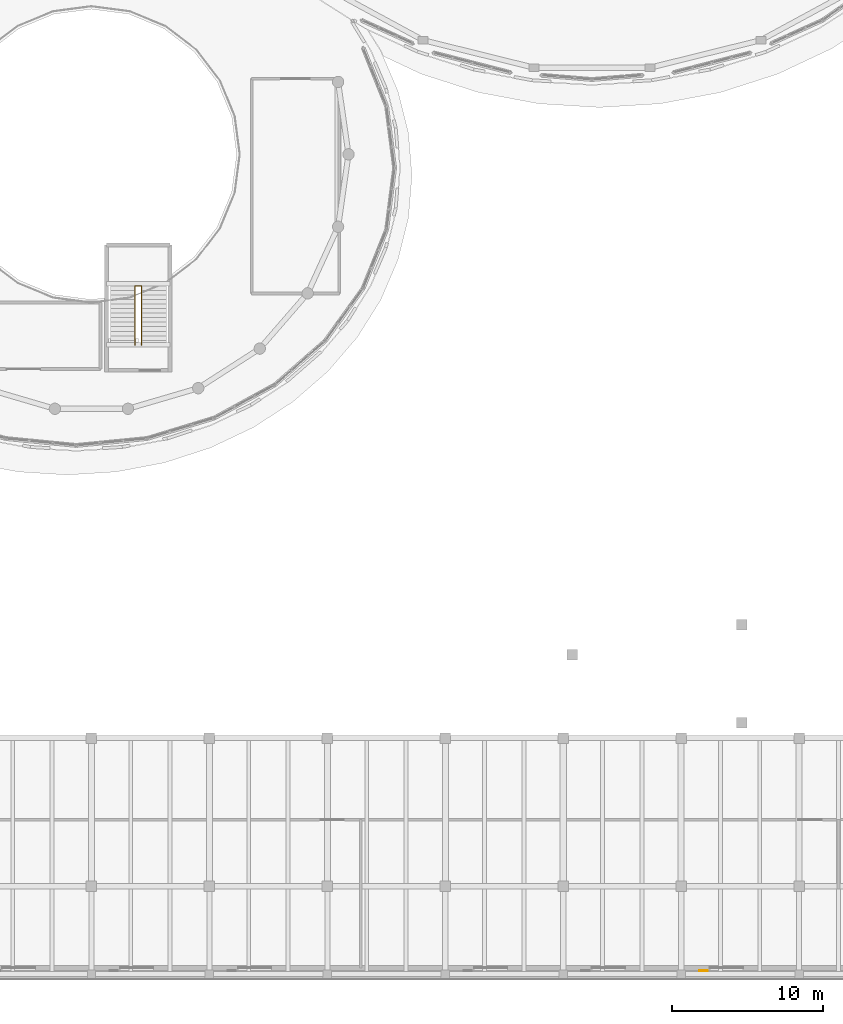
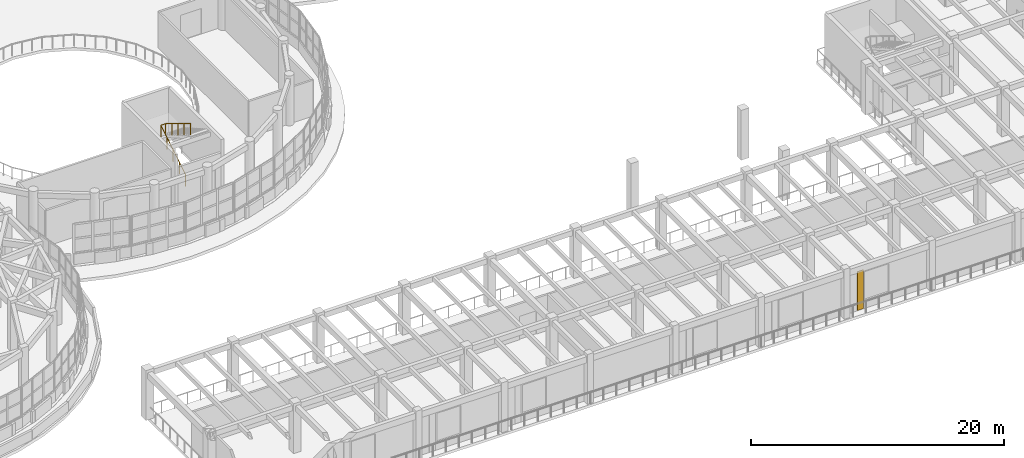
# One storey, part 92 of 98: 1 covering, 1 railing.
"""IFC4 building model written with IfcOpenShell, lengths in metres."""

import ifcopenshell
import ifcopenshell.guid

model = None  # the IFC model being written
_history = None  # IfcOwnerHistory: only IFC2X3 demands one
_inside = {}  # id of a spatial element -> (the spatial element, [elements in it])
_under = {}  # id of a project, library or spatial element -> (it, [spatial elements below it])
_declared = {}  # id of a project -> (the project, [libraries it declares])
_typed = {}  # id of a type object -> (the type object, [elements of that type])
_made_of = {}  # id of a material, layer set ... -> (it, [elements and type objects made of it])


def new_model(schema):
    """Start an empty IFC model of exactly this schema.

    Asked for "IFC4X3", IfcOpenShell would pick the latest addendum, in which some entities
    have other attributes; the version numbers below select the first issue.
    IFC2X3 requires an IfcOwnerHistory on every rooted entity: one is made here for all.
    """
    global model, _history
    if schema == "IFC4X3":
        model = ifcopenshell.file(schema_version=(4, 3, 0, 0))
    else:
        model = ifcopenshell.file(schema=schema)
    _inside.clear()
    _under.clear()
    _declared.clear()
    _typed.clear()
    _made_of.clear()
    _history = None
    if model.schema == "IFC2X3":
        org = make("IfcOrganization", Name="unknown")
        user = make(
            "IfcPersonAndOrganization",
            ThePerson=make("IfcPerson", FamilyName="unknown"),
            TheOrganization=org,
        )
        app = make(
            "IfcApplication",
            ApplicationDeveloper=org,
            Version="unknown",
            ApplicationFullName="unknown",
            ApplicationIdentifier="unknown",
        )
        _history = make(
            "IfcOwnerHistory",
            OwningUser=user,
            OwningApplication=app,
            ChangeAction="ADDED",
            CreationDate=0,
        )
    return model


def make(cls, **values):
    """One entity of the class cls with the attributes given. An attribute that is None is left unset."""
    return model.create_entity(
        cls, **{name: value for name, value in values.items() if value is not None}
    )


def rooted(cls, **values):
    """An entity with a GlobalId (a new one), such as an element, a storey or a relation."""
    return make(cls, GlobalId=ifcopenshell.guid.new(), OwnerHistory=_history, **values)


def si_unit(unit_type, name, prefix=None):
    """IfcSIUnit, for example si_unit("LENGTHUNIT", "METRE", prefix="MILLI")."""
    return make("IfcSIUnit", UnitType=unit_type, Prefix=prefix, Name=name)


def assignment(units):
    """IfcUnitAssignment: the units of a project."""
    return None if units is None else make("IfcUnitAssignment", Units=units)


def point(xyz):
    """IfcCartesianPoint."""
    return None if xyz is None else make("IfcCartesianPoint", Coordinates=xyz)


def direction(xyz):
    """IfcDirection."""
    return None if xyz is None else make("IfcDirection", DirectionRatios=xyz)


def frame(location, z_axis=None, x_axis=None):
    """IfcAxis2Placement3D, a coordinate frame: its origin and axes. An axis left out is left unset."""
    return make(
        "IfcAxis2Placement3D",
        Location=point(location),
        Axis=direction(z_axis),
        RefDirection=direction(x_axis),
    )


def frame_2d(location, x_axis=None):
    """IfcAxis2Placement2D, a coordinate frame in the plane: its origin and x axis."""
    return make(
        "IfcAxis2Placement2D", Location=point(location), RefDirection=direction(x_axis)
    )


def origin():
    """The frame at (0, 0, 0) with its axes left unset."""
    return frame((0.0, 0.0, 0.0))


def origin_2d():
    """The frame at (0, 0) in the plane with its x axis left unset."""
    return frame_2d((0.0, 0.0))


def place(relative_to, where):
    """IfcLocalPlacement: puts the frame where relative to a parent placement (None: the world)."""
    return make(
        "IfcLocalPlacement", PlacementRelTo=relative_to, RelativePlacement=where
    )


def context(
    kind, dimensions, precision=None, world=None, true_north=None, identifier=None
):
    """IfcGeometricRepresentationContext, for example the 3D "Model" context."""
    return make(
        "IfcGeometricRepresentationContext",
        ContextIdentifier=identifier,
        ContextType=kind,
        CoordinateSpaceDimension=dimensions,
        Precision=precision,
        WorldCoordinateSystem=world,
        TrueNorth=true_north,
    )


def subcontext(parent, identifier, kind, view, scale=None):
    """IfcGeometricRepresentationSubContext, for example "Body" below "Model"."""
    return make(
        "IfcGeometricRepresentationSubContext",
        ContextIdentifier=identifier,
        ContextType=kind,
        ParentContext=parent,
        TargetScale=scale,
        TargetView=view,
    )


def project(units=None, contexts=None):
    """IfcProject with its units and contexts."""
    return rooted(
        "IfcProject",
        Name="project",
        RepresentationContexts=contexts,
        UnitsInContext=assignment(units),
    )


def spatial(cls, under=None, at=None, **own):
    """A site, building, storey or space (cls), placed at a placement, below another one or the project."""
    s = rooted(cls, ObjectPlacement=at, **own)
    if under is not None:
        _under.setdefault(under.id(), (under, []))[1].append(s)
    return s


def profile(cls, at=None, kind="AREA", **sizes):
    """A parametric profile (cls). Its sizes go by their IFC names, for example OverallWidth=200.0."""
    return make(cls, ProfileType=kind, Position=at, **sizes)


def rectangle(**sizes):
    """IfcRectangleProfileDef."""
    return profile("IfcRectangleProfileDef", **sizes)


def circle(**sizes):
    """IfcCircleProfileDef."""
    return profile("IfcCircleProfileDef", **sizes)


def extrude(swept, where, along, depth):
    """IfcExtrudedAreaSolid: the profile swept, set in the frame where, extruded along a direction by depth."""
    return make(
        "IfcExtrudedAreaSolid",
        SweptArea=swept,
        Position=where,
        ExtrudedDirection=direction(along),
        Depth=depth,
    )


def shape(context_of_items, identifier, shape_type, items):
    """IfcShapeRepresentation: the items that make up one representation, for example the "Body"."""
    return make(
        "IfcShapeRepresentation",
        ContextOfItems=context_of_items,
        RepresentationIdentifier=identifier,
        RepresentationType=shape_type,
        Items=items,
    )


def material(Name=None, Category=None):
    """IfcMaterial."""
    return make("IfcMaterial", Name=Name, Category=Category)


def layer(
    of_material, thickness, ventilated=None, Name=None, Category=None, Priority=None
):
    """IfcMaterialLayer: one layer of a wall or slab, of a material (None: an air gap)."""
    return make(
        "IfcMaterialLayer",
        Material=of_material,
        LayerThickness=thickness,
        IsVentilated=ventilated,
        Name=Name,
        Category=Category,
        Priority=Priority,
    )


def layer_set(layers, Name=None):
    """IfcMaterialLayerSet."""
    return make("IfcMaterialLayerSet", MaterialLayers=layers, LayerSetName=Name)


def made_of(thing, what):
    """Note that an element or type object is made of a material, layer set ...; save() writes the relation."""
    if what is not None:
        _made_of.setdefault(what.id(), (what, []))[1].append(thing)
    return thing


def type_object(cls, material=None, **own):
    """A type object (cls), such as IfcWallType, which elements share."""
    return made_of(rooted(cls, **own), material)


def element(
    cls,
    number,
    at=None,
    inside=None,
    cuts=None,
    type_object=None,
    material=None,
    context=None,
    identifier="Body",
    shape_type=None,
    held_by="IfcProductDefinitionShape",
    body=None,
    shapes=None,
    **own,
):
    """One element of the class cls, such as IfcWall. Its Tag is "e" and its number.

    at: its placement. inside: the storey or other place that contains it. cuts: it is an
    opening in that element (IfcRelVoidsElement). A single representation is given by context,
    identifier, shape_type and body (its items); several are given by shapes. held_by: the class
    of the entity that holds the representations. save() writes the other relations.
    """
    e = rooted(cls, Tag="e%d" % number, ObjectPlacement=at, **own)
    if body is not None:
        shapes = [shape(context, identifier, shape_type, body)]
    if shapes is not None:
        e.Representation = make(held_by, Representations=shapes)
    if inside is not None:
        _inside.setdefault(inside.id(), (inside, []))[1].append(e)
    if cuts is not None:
        rooted(
            "IfcRelVoidsElement", RelatingBuildingElement=cuts, RelatedOpeningElement=e
        )
    if type_object is not None:
        _typed.setdefault(type_object.id(), (type_object, []))[1].append(e)
    return made_of(e, material)


def aggregate(whole, parts):
    """IfcRelAggregates: a whole, such as a stair, and the parts it consists of."""
    return rooted("IfcRelAggregates", RelatingObject=whole, RelatedObjects=parts)


def save(model, path):
    """Write the relations noted so far, then the file.

    IfcRelAggregates (storeys below a building ...), IfcRelContainedInSpatialStructure (elements
    in a storey), IfcRelDefinesByType, IfcRelAssociatesMaterial and IfcRelDeclares: one each for
    every whole, place, type object, material and project.
    """
    for whole, parts in _under.values():
        aggregate(whole, parts)
    for where, things in _inside.values():
        rooted(
            "IfcRelContainedInSpatialStructure",
            RelatedElements=things,
            RelatingStructure=where,
        )
    for kind, things in _typed.values():
        rooted("IfcRelDefinesByType", RelatedObjects=things, RelatingType=kind)
    for what, things in _made_of.values():
        rooted("IfcRelAssociatesMaterial", RelatedObjects=things, RelatingMaterial=what)
    for by, libraries in _declared.values():
        rooted("IfcRelDeclares", RelatingContext=by, RelatedDefinitions=libraries)
    model.write(path)


model = new_model("IFC4")

# Units and contexts
model_context = context("Model", 3, precision=1e-05, world=origin(), true_north=direction((0.0, 1.0)))
body_context = subcontext(model_context, "Body", "Model", "MODEL_VIEW")
ifc_project = project(units=[si_unit("LENGTHUNIT", "METRE"), si_unit("AREAUNIT", "SQUARE_METRE"), si_unit("VOLUMEUNIT", "CUBIC_METRE"), si_unit("PLANEANGLEUNIT", "RADIAN"), si_unit("MASSUNIT", "GRAM", prefix="KILO")], contexts=[model_context])

# Site, building, storey
site_placement = place(None, origin())
site = spatial("IfcSite", under=ifc_project, at=site_placement, CompositionType="ELEMENT")
building_placement = place(site_placement, origin())
building = spatial("IfcBuilding", under=site, at=building_placement, Name="Pelvatis Terrace Science Centre", CompositionType="ELEMENT")
storey_placement = place(building_placement, frame((0.0, 0.0, 5.39990234375)))
storey = spatial("IfcBuildingStorey", under=building, at=storey_placement, Name="L01", CompositionType="ELEMENT", Elevation=5.39990234375)

# Covering
ifc_material_1 = material(Name="Fluted warm stone-aggregate precast facade relief panel", Category="masonry")
ifc_layer = layer(ifc_material_1, 0.054931640625)
ifc_layer_set = layer_set([ifc_layer], Name="Fluted warm stone-aggregate precast facade relief panel")
covering_type = type_object("IfcCoveringType", Name="COV-CLAD-PREC-55", PredefinedType="CLADDING", material=ifc_layer_set)
covering_placement = place(storey_placement, frame((118.47998046875, 0.60498046875, 0.06005859375), z_axis=(0.0, 0.0, 1.0), x_axis=(1.0, 0.0, 0.0)))
element("IfcCovering", 1, at=covering_placement, inside=storey, type_object=covering_type, Name="Classical fluted stone pilaster strip 07", PredefinedType="CLADDING", context=body_context, shape_type="SweptSolid", body=[
    extrude(rectangle(XDim=0.550048828125, YDim=0.054931640625, at=origin_2d()), origin(), (0.0, 0.0, 1.0), 3.739990234375),
])

# Railing
ifc_material_2 = material(Name="Brushed architectural bronze tubular railing", Category="steel")
railing_type = type_object("IfcRailingType", Name="RLG-GRD-1120", PredefinedType="GUARDRAIL", material=ifc_material_2)
railing_placement = place(storey_placement, frame((80.8798828125, 42.0, 0.0)))
element("IfcRailing", 2, at=railing_placement, inside=storey, type_object=railing_type, Name="Stair ST-06-L01 inner well guard", PredefinedType="GUARDRAIL", context=body_context, shape_type="SweptSolid", body=[
    extrude(circle(Radius=0.02392578125, at=origin_2d()), frame((0.0, 0.0, 1.09619140625), z_axis=(0.0, 0.851638180308, 0.5241301459), x_axis=(-1.0, 0.0, 0.0)), (0.0, 0.0, 1.0), 4.579345703125),
    extrude(circle(Radius=0.02392578125, at=origin_2d()), frame((0.0, 3.89990234375, 3.49609375), z_axis=(1.0, 0.0, 0.0), x_axis=(0.0, 1.0, 0.0)), (0.0, 0.0, 1.0), 0.440185546875),
    extrude(circle(Radius=0.02392578125, at=origin_2d()), frame((0.440185546875, 3.89990234375, 3.49609375), z_axis=(0.0, -0.851661977835, 0.524091476281), x_axis=(1.0, 0.0, 0.0)), (0.0, 0.0, 1.0), 4.5791015625),
    extrude(circle(Radius=0.02099609375, at=origin_2d()), origin(), (0.0, 0.0, 1.0), 1.072021484375),
    extrude(circle(Radius=0.02099609375, at=origin_2d()), frame((0.0, 0.97509765625, 0.60009765625)), (0.0, 0.0, 1.0), 1.072021484375),
    extrude(circle(Radius=0.02099609375, at=origin_2d()), frame((0.0, 1.949951171875, 1.2001953125)), (0.0, 0.0, 1.0), 1.072021484375),
    extrude(circle(Radius=0.02099609375, at=origin_2d()), frame((0.0, 2.9248046875, 1.800048828125)), (0.0, 0.0, 1.0), 1.072021484375),
    extrude(circle(Radius=0.02099609375, at=origin_2d()), frame((0.0, 3.89990234375, 2.400146484375)), (0.0, 0.0, 1.0), 1.072021484375),
    extrude(circle(Radius=0.02099609375, at=origin_2d()), frame((0.440185546875, 3.89990234375, 2.400146484375)), (0.0, 0.0, 1.0), 1.072021484375),
    extrude(circle(Radius=0.02099609375, at=origin_2d()), frame((0.440185546875, 2.9248046875, 3.0)), (0.0, 0.0, 1.0), 1.072021484375),
    extrude(circle(Radius=0.02099609375, at=origin_2d()), frame((0.440185546875, 1.949951171875, 3.60009765625)), (0.0, 0.0, 1.0), 1.072021484375),
    extrude(circle(Radius=0.02099609375, at=origin_2d()), frame((0.440185546875, 0.97509765625, 4.2001953125)), (0.0, 0.0, 1.0), 1.072021484375),
    extrude(circle(Radius=0.02099609375, at=origin_2d()), frame((0.440185546875, 0.0, 4.800048828125)), (0.0, 0.0, 1.0), 1.072021484375),
])

save(model, "model.ifc")
